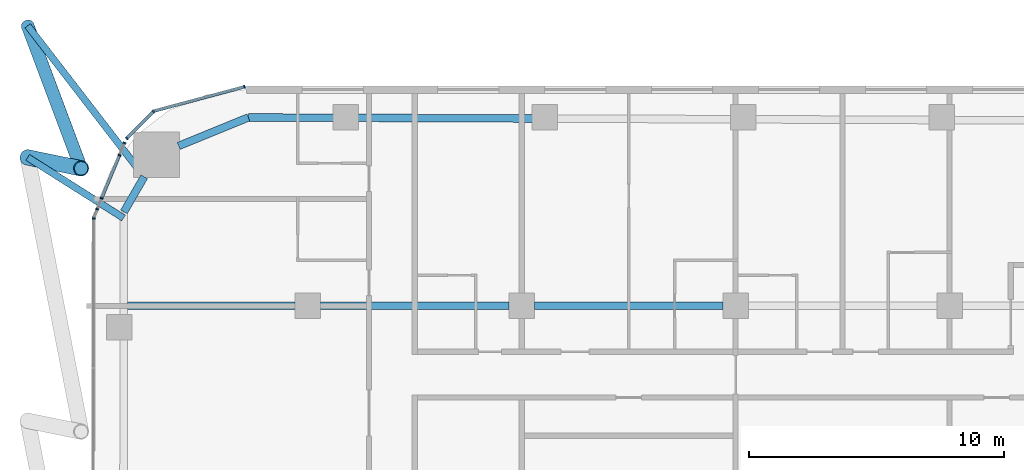
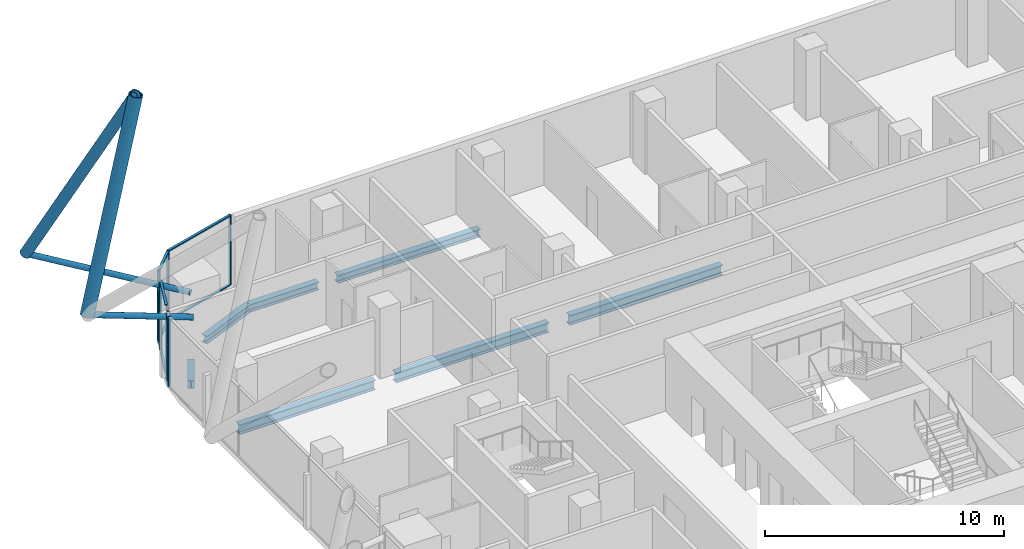
# One storey, part 11 of 36: 18 members, 7 beams, 7 elements without a shape of their own.
"""IFC4 building model written with IfcOpenShell, lengths in metres."""

from ifc_helpers import new_model, si_unit, direction, frame, origin, origin_2d, place, context, subcontext, project, spatial, rectangle, hollow_circle, i_section, extrude, material, layer, layer_set, material_profile, profile_set, type_object, element, aggregate, save


model = new_model("IFC4")

# Units and contexts
model_context = context("Model", 3, precision=1e-05, world=origin(), true_north=direction((0.0, 1.0)))
body_context = subcontext(model_context, "Body", "Model", "MODEL_VIEW")
ifc_project = project(units=[si_unit("LENGTHUNIT", "METRE"), si_unit("AREAUNIT", "SQUARE_METRE"), si_unit("VOLUMEUNIT", "CUBIC_METRE"), si_unit("PLANEANGLEUNIT", "RADIAN"), si_unit("MASSUNIT", "GRAM", prefix="KILO")], contexts=[model_context])

# Site, building, storey
site_placement = place(None, origin())
site = spatial("IfcSite", under=ifc_project, at=site_placement, CompositionType="ELEMENT")
building_placement = place(site_placement, origin())
building = spatial("IfcBuilding", under=site, at=building_placement, Name="Marenta Gate Hotel Tower", CompositionType="ELEMENT")
storey_placement = place(building_placement, frame((0.0, 0.0, 83.300048828125)))
storey = spatial("IfcBuildingStorey", under=building, at=storey_placement, Name="L19", CompositionType="ELEMENT", Elevation=83.300048828125)

# Members
ifc_material_1 = material(Name="Steel S355J2W", Category="steel")
ifc_material_profile_1 = material_profile(ifc_material_1, hollow_circle(Radius=0.25390625, WallThickness=0.0400390625, at=origin_2d()), Name="CHS 508x40")
ifc_profile_set_1 = profile_set([ifc_material_profile_1], Name="Steel S355J2W")
member_type_1 = type_object("IfcMemberType", Name="Diagrid corner post Z1 CHS 508x40", PredefinedType="POST", material=ifc_profile_set_1)
member_1_placement = place(storey_placement, frame((-32.0, 36.199951171875, 3.139892578125), z_axis=(0.170111239528, -0.453597012445, 0.874821076842), x_axis=(0.93632078934, 0.351145809387, 0.0)))
element("IfcMember", 1, at=member_1_placement, inside=storey, type_object=member_type_1, Name="L19-DR-6", PredefinedType="POST", context=body_context, shape_type="SweptSolid", body=[
    extrude(hollow_circle(Radius=0.25390625, WallThickness=0.0400390625, at=origin_2d()), origin(), (0.0, 0.0, 1.0), 12.345458984375),
])
ifc_material_2 = material(Name="Steel S355J2W", Category="steel")
ifc_material_profile_2 = material_profile(ifc_material_2, hollow_circle(Radius=0.304931640625, WallThickness=0.0400390625, at=origin_2d()), Name="CHS 610x40")
ifc_profile_set_2 = profile_set([ifc_material_profile_2], Name="Steel S355J2W")
member_type_2 = type_object("IfcMemberType", Name="Diagrid diagonal T1 CHS 610x40", PredefinedType="BRACE", material=ifc_profile_set_2)
member_2_placement = place(storey_placement, frame((-32.0, 31.030029296875, 3.139892578125), z_axis=(0.190731815435, -0.039046585327, 0.980865301025), x_axis=(0.200560207771, 0.979681378336, 0.0)))
element("IfcMember", 2, at=member_2_placement, inside=storey, type_object=member_type_2, Name="L19-DG-34", PredefinedType="BRACE", context=body_context, shape_type="SweptSolid", body=[
    extrude(hollow_circle(Radius=0.304931640625, WallThickness=0.0400390625, at=origin_2d()), origin(), (0.0, 0.0, 1.0), 11.0107421875),
])

# Beams
ifc_material_3 = material(Name="Steel S355", Category="steel")
ifc_material_profile_3 = material_profile(ifc_material_3, i_section(OverallWidth=0.300048828125, OverallDepth=0.39990234375, WebThickness=0.013427734375, FlangeThickness=0.02392578125, FilletRadius=0.027099609375, at=origin_2d()), Name="HEB 400")
ifc_profile_set_3 = profile_set([ifc_material_profile_3], Name="Steel S355")
beam_type_1 = type_object("IfcBeamType", Name="Edge beam HEB 400", PredefinedType="SPANDREL", material=ifc_profile_set_3)
beam_1_placement = place(storey_placement, frame((-28.221435546875, 28.891845703125, -0.4599609375), z_axis=(0.500098681536, 0.865968422476, 0.0), x_axis=(-0.865968422476, 0.500098681536, 0.0)))
element("IfcBeam", 3, at=beam_1_placement, inside=storey, type_object=beam_type_1, Name="L19-EB-11", PredefinedType="SPANDREL", context=body_context, shape_type="SweptSolid", body=[
    extrude(i_section(OverallWidth=0.300048828125, OverallDepth=0.39990234375, WebThickness=0.013427734375, FlangeThickness=0.02392578125, FilletRadius=0.027099609375, at=origin_2d()), origin(), (0.0, 0.0, 1.0), 1.591552734375),
])
beam_2_placement = place(storey_placement, frame((-26.072509765625, 31.47998046875, -0.4599609375), z_axis=(0.925545641603, 0.378636059177, 0.0), x_axis=(-0.378636059177, 0.925545641603, 0.0)))
element("IfcBeam", 4, at=beam_2_placement, inside=storey, type_object=beam_type_1, Name="L19-EB-12", PredefinedType="SPANDREL", context=body_context, shape_type="SweptSolid", body=[
    extrude(i_section(OverallWidth=0.300048828125, OverallDepth=0.39990234375, WebThickness=0.013427734375, FlangeThickness=0.02392578125, FilletRadius=0.027099609375, at=origin_2d()), origin(), (0.0, 0.0, 1.0), 2.958251953125),
])
beam_3_placement = place(storey_placement, frame((-23.33447265625, 32.60009765625, -0.4599609375), z_axis=(0.999992894549, -0.00376972818, 0.0), x_axis=(0.00376972818, 0.999992894549, 0.0)))
element("IfcBeam", 5, at=beam_3_placement, inside=storey, type_object=beam_type_1, Name="L19-EB-13", PredefinedType="SPANDREL", context=body_context, shape_type="SweptSolid", body=[
    extrude(i_section(OverallWidth=0.300048828125, OverallDepth=0.39990234375, WebThickness=0.013427734375, FlangeThickness=0.02392578125, FilletRadius=0.027099609375, at=origin_2d()), origin(), (0.0, 0.0, 1.0), 3.36767578125),
])
beam_4_placement = place(storey_placement, frame((-19.046875, 32.583984375, -0.4599609375), z_axis=(0.999993064268, -0.003724435008, 0.0), x_axis=(0.003724435008, 0.999993064268, 0.0)))
element("IfcBeam", 6, at=beam_4_placement, inside=storey, type_object=beam_type_1, Name="L19-EB-14", PredefinedType="SPANDREL", context=body_context, shape_type="SweptSolid", body=[
    extrude(i_section(OverallWidth=0.300048828125, OverallDepth=0.39990234375, WebThickness=0.013427734375, FlangeThickness=0.02392578125, FilletRadius=0.027099609375, at=origin_2d()), origin(), (0.0, 0.0, 1.0), 6.8828125),
])

# Members
ifc_material_4 = material(Name="Steel S355J2W", Category="steel")
ifc_material_profile_4 = material_profile(ifc_material_4, hollow_circle(Radius=0.136474609375, WallThickness=0.012451171875, at=origin_2d()), Name="CHS 273x12.5")
ifc_profile_set_4 = profile_set([ifc_material_profile_4], Name="Steel S355J2W")
member_type_3 = type_object("IfcMemberType", Name="Floor tie CHS 273x12.5", PredefinedType="STRUT", material=ifc_profile_set_4)
member_3_placement = place(storey_placement, frame((-32.0, 31.030029296875, 3.139892578125), z_axis=(0.845294683046, -0.534300382569, 0.0), x_axis=(0.534300382569, 0.845294683046, 0.0)))
element("IfcMember", 7, at=member_3_placement, inside=storey, type_object=member_type_3, Name="L19-DR-21", PredefinedType="STRUT", context=body_context, shape_type="SweptSolid", body=[
    extrude(hollow_circle(Radius=0.136474609375, WallThickness=0.012451171875, at=origin_2d()), origin(), (0.0, 0.0, 1.0), 4.451904296875),
])
member_4_placement = place(storey_placement, frame((-32.0, 36.199951171875, 3.139892578125), z_axis=(0.610816913131, -0.791771872848, 0.0), x_axis=(0.791771872848, 0.610816913131, 0.0)))
element("IfcMember", 8, at=member_4_placement, inside=storey, type_object=member_type_3, Name="L19-DR-22", PredefinedType="STRUT", context=body_context, shape_type="SweptSolid", body=[
    extrude(hollow_circle(Radius=0.136474609375, WallThickness=0.012451171875, at=origin_2d()), origin(), (0.0, 0.0, 1.0), 7.47314453125),
])

# Beams
ifc_material_5 = material(Name="Steel S355", Category="steel")
ifc_material_profile_5 = material_profile(ifc_material_5, i_section(OverallWidth=0.300048828125, OverallDepth=0.5, WebThickness=0.014404296875, FlangeThickness=0.028076171875, FilletRadius=0.027099609375, at=origin_2d()), Name="HEB 500")
ifc_profile_set_5 = profile_set([ifc_material_profile_5], Name="Steel S355")
beam_type_2 = type_object("IfcBeamType", Name="Girder HEB 500", PredefinedType="BEAM", material=ifc_profile_set_5)
beam_5_placement = place(storey_placement, frame((-28.076416015625, 25.199951171875, -0.510009765625), z_axis=(1.0, 0.0, 0.0), x_axis=(0.0, 1.0, 0.0)))
element("IfcBeam", 9, at=beam_5_placement, inside=storey, type_object=beam_type_2, Name="L19-GD-22", PredefinedType="BEAM", context=body_context, shape_type="SweptSolid", body=[
    extrude(i_section(OverallWidth=0.300048828125, OverallDepth=0.5, WebThickness=0.014404296875, FlangeThickness=0.028076171875, FilletRadius=0.027099609375, at=origin_2d()), origin(), (0.0, 0.0, 1.0), 6.576416015625),
])
beam_6_placement = place(storey_placement, frame((-20.5, 25.199951171875, -0.510009765625), z_axis=(1.0, 0.0, 0.0), x_axis=(0.0, 1.0, 0.0)))
element("IfcBeam", 10, at=beam_6_placement, inside=storey, type_object=beam_type_2, Name="L19-GD-23", PredefinedType="BEAM", context=body_context, shape_type="SweptSolid", body=[
    extrude(i_section(OverallWidth=0.300048828125, OverallDepth=0.5, WebThickness=0.014404296875, FlangeThickness=0.028076171875, FilletRadius=0.027099609375, at=origin_2d()), origin(), (0.0, 0.0, 1.0), 7.39990234375),
])
beam_7_placement = place(storey_placement, frame((-12.10009765625, 25.199951171875, -0.510009765625), z_axis=(1.0, 0.0, 0.0), x_axis=(0.0, 1.0, 0.0)))
element("IfcBeam", 11, at=beam_7_placement, inside=storey, type_object=beam_type_2, Name="L19-GD-24", PredefinedType="BEAM", context=body_context, shape_type="SweptSolid", body=[
    extrude(i_section(OverallWidth=0.300048828125, OverallDepth=0.5, WebThickness=0.014404296875, FlangeThickness=0.028076171875, FilletRadius=0.027099609375, at=origin_2d()), origin(), (0.0, 0.0, 1.0), 7.400146484375),
])

# Curtain wall, member
ifc_material_6 = material(Name="Tinted insulated glass in bronze anodised frame", Category="glass")
ifc_layer = layer(ifc_material_6, 0.1201171875)
ifc_layer_set = layer_set([ifc_layer], Name="Tinted insulated glass in bronze anodised frame")
curtain_wall_type = type_object("IfcCurtainWallType", Name="Tower unitised curtain wall CW1", PredefinedType="NOTDEFINED", material=ifc_layer_set)
curtain_wall_1_placement = place(storey_placement, origin())
curtain_wall_1 = element("IfcCurtainWall", 12, at=curtain_wall_1_placement, inside=storey, type_object=curtain_wall_type, Name="CW1 run G00", PredefinedType="NOTDEFINED")
ifc_material_7 = material(Name="Bronze anodised aluminium", Category="aluminium")
ifc_material_profile_6 = material_profile(ifc_material_7, rectangle(XDim=0.1201171875, YDim=0.06005859375, at=origin_2d()), Name="Mullion CW1 60x120 bronze anodised aluminium")
ifc_profile_set_6 = profile_set([ifc_material_profile_6], Name="Bronze anodised aluminium")
member_type_4 = type_object("IfcMemberType", Name="Mullion CW1 60x120 bronze anodised aluminium", PredefinedType="MULLION", material=ifc_profile_set_6)
member_5_placement = place(storey_placement, frame((-23.485595703125, 33.80322265625, 0.0), z_axis=(0.0, 0.0, 1.0), x_axis=(0.258801657317, -0.965930485164, 0.0)))
member_5 = element("IfcMember", 13, at=member_5_placement, type_object=member_type_4, Name="CW1 mullion 1", PredefinedType="MULLION", context=body_context, shape_type="SweptSolid", body=[
    extrude(rectangle(XDim=0.1201171875, YDim=0.06005859375, at=origin_2d()), origin(), (0.0, 0.0, 1.0), 3.599853515625),
])

# Curtain wall, members
curtain_wall_2_placement = place(storey_placement, origin())
curtain_wall_2 = element("IfcCurtainWall", 14, at=curtain_wall_2_placement, inside=storey, type_object=curtain_wall_type, Name="CW1 run G01", PredefinedType="NOTDEFINED")
member_6_placement = place(storey_placement, frame((-27.06103515625, 32.82958984375, 0.0), z_axis=(0.0, 0.0, 1.0), x_axis=(0.707106781187, -0.707106781187, 0.0)))
member_6 = element("IfcMember", 15, at=member_6_placement, type_object=member_type_4, Name="CW1 mullion 1", PredefinedType="MULLION", context=body_context, shape_type="SweptSolid", body=[
    extrude(rectangle(XDim=0.1201171875, YDim=0.06005859375, at=origin_2d()), origin(), (0.0, 0.0, 1.0), 3.599853515625),
])
member_7_placement = place(storey_placement, frame((-28.109619140625, 31.781005859375, 0.0), z_axis=(0.0, 0.0, 1.0), x_axis=(0.707106781187, -0.707106781187, 0.0)))
member_7 = element("IfcMember", 16, at=member_7_placement, type_object=member_type_4, Name="CW1 mullion 2", PredefinedType="MULLION", context=body_context, shape_type="SweptSolid", body=[
    extrude(rectangle(XDim=0.1201171875, YDim=0.06005859375, at=origin_2d()), origin(), (0.0, 0.0, 1.0), 3.599853515625),
])

# Curtain wall, member
curtain_wall_3_placement = place(storey_placement, origin())
curtain_wall_3 = element("IfcCurtainWall", 17, at=curtain_wall_3_placement, inside=storey, type_object=curtain_wall_type, Name="CW1 run G02", PredefinedType="NOTDEFINED")
member_8_placement = place(storey_placement, frame((-28.197509765625, 31.59912109375, 0.0), z_axis=(0.0, 0.0, 1.0), x_axis=(0.923851127548, -0.382752000815, 0.0)))
member_8 = element("IfcMember", 18, at=member_8_placement, type_object=member_type_4, Name="CW1 mullion 1", PredefinedType="MULLION", context=body_context, shape_type="SweptSolid", body=[
    extrude(rectangle(XDim=0.1201171875, YDim=0.06005859375, at=origin_2d()), origin(), (0.0, 0.0, 1.0), 3.00048828125),
])
aggregate(curtain_wall_3, [member_8])

curtain_wall_4_placement = place(storey_placement, origin())
curtain_wall_4 = element("IfcCurtainWall", 19, at=curtain_wall_4_placement, inside=storey, type_object=curtain_wall_type, Name="CW1 run G03", PredefinedType="NOTDEFINED")
member_9_placement = place(storey_placement, frame((-28.3974609375, 31.11669921875, 0.0), z_axis=(0.0, 0.0, 1.0), x_axis=(0.923887467514, -0.382664275012, 0.0)))
member_9 = element("IfcMember", 20, at=member_9_placement, type_object=member_type_4, Name="CW1 mullion 1", PredefinedType="MULLION", context=body_context, shape_type="SweptSolid", body=[
    extrude(rectangle(XDim=0.1201171875, YDim=0.06005859375, at=origin_2d()), origin(), (0.0, 0.0, 1.0), 3.599853515625),
])

curtain_wall_5_placement = place(storey_placement, origin())
curtain_wall_5 = element("IfcCurtainWall", 21, at=curtain_wall_5_placement, inside=storey, type_object=curtain_wall_type, Name="CW1 run G04", PredefinedType="NOTDEFINED")
member_10_placement = place(storey_placement, frame((-29.0966796875, 29.427978515625, 0.0), z_axis=(0.0, 0.0, 1.0), x_axis=(0.923815303293, -0.382838458625, 0.0)))
member_10 = element("IfcMember", 22, at=member_10_placement, type_object=member_type_4, Name="CW1 mullion 1", PredefinedType="MULLION", context=body_context, shape_type="SweptSolid", body=[
    extrude(rectangle(XDim=0.1201171875, YDim=0.06005859375, at=origin_2d()), origin(), (0.0, 0.0, 1.0), 3.00048828125),
])
aggregate(curtain_wall_5, [member_10])

curtain_wall_6_placement = place(storey_placement, origin())
curtain_wall_6 = element("IfcCurtainWall", 23, at=curtain_wall_6_placement, inside=storey, type_object=curtain_wall_type, Name="CW1 run G05", PredefinedType="NOTDEFINED")
member_11_placement = place(storey_placement, frame((-29.272705078125, 29.003173828125, 0.0), z_axis=(0.0, 0.0, 1.0), x_axis=(0.923973627119, -0.382456188848, 0.0)))
member_11 = element("IfcMember", 24, at=member_11_placement, type_object=member_type_4, Name="CW1 mullion 1", PredefinedType="MULLION", context=body_context, shape_type="SweptSolid", body=[
    extrude(rectangle(XDim=0.1201171875, YDim=0.06005859375, at=origin_2d()), origin(), (0.0, 0.0, 1.0), 3.599853515625),
])
aggregate(curtain_wall_6, [member_11])

curtain_wall_7_placement = place(storey_placement, origin())
curtain_wall_7 = element("IfcCurtainWall", 25, at=curtain_wall_7_placement, inside=storey, type_object=curtain_wall_type, Name="CW1 run G06", PredefinedType="NOTDEFINED")
member_12_placement = place(storey_placement, frame((-29.412353515625, 28.63623046875, 0.0), z_axis=(0.0, 0.0, 1.0), x_axis=(0.999998767315, -0.001570149369, 0.0)))
member_12 = element("IfcMember", 26, at=member_12_placement, type_object=member_type_4, Name="CW1 mullion 1", PredefinedType="MULLION", context=body_context, shape_type="SweptSolid", body=[
    extrude(rectangle(XDim=0.1201171875, YDim=0.06005859375, at=origin_2d()), origin(), (0.0, 0.0, 1.0), 3.599853515625),
])
aggregate(curtain_wall_7, [member_12])

# Member
ifc_material_8 = material(Name="Bronze anodised aluminium", Category="aluminium")
ifc_material_profile_7 = material_profile(ifc_material_8, rectangle(XDim=0.1201171875, YDim=0.06005859375, at=origin_2d()), Name="Transom CW1 60x120 bronze anodised aluminium")
ifc_profile_set_7 = profile_set([ifc_material_profile_7], Name="Bronze anodised aluminium")
member_type_5 = type_object("IfcMemberType", Name="Transom CW1 60x120 bronze anodised aluminium", PredefinedType="USERDEFINED", material=ifc_profile_set_7)
member_13_placement = place(storey_placement, frame((-23.514404296875, 33.79541015625, 0.030029296875), z_axis=(-0.965928942389, -0.258807415381, 0.0), x_axis=(0.258807415381, -0.965928942389, 0.0)))
member_13 = element("IfcMember", 27, at=member_13_placement, type_object=member_type_5, Name="CW1 transom 1.1", ObjectType="TRANSOM", PredefinedType="USERDEFINED", context=body_context, shape_type="SweptSolid", body=[
    extrude(rectangle(XDim=0.1201171875, YDim=0.06005859375, at=origin_2d()), origin(), (0.0, 0.0, 1.0), 3.649658203125),
])

member_14_placement = place(storey_placement, frame((-23.514404296875, 33.79541015625, 3.570068359375), z_axis=(-0.965928942389, -0.258807415381, 0.0), x_axis=(0.258807415381, -0.965928942389, 0.0)))
member_14 = element("IfcMember", 28, at=member_14_placement, type_object=member_type_5, Name="CW1 transom 1.2", ObjectType="TRANSOM", PredefinedType="USERDEFINED", context=body_context, shape_type="SweptSolid", body=[
    extrude(rectangle(XDim=0.1201171875, YDim=0.06005859375, at=origin_2d()), origin(), (0.0, 0.0, 1.0), 3.649658203125),
])

aggregate(curtain_wall_1, [member_5, member_13, member_14])

member_15_placement = place(storey_placement, frame((-27.082275390625, 32.80859375, 0.030029296875), z_axis=(-0.707020993286, -0.707192558681, 0.0), x_axis=(0.707192558681, -0.707020993286, 0.0)))
member_15 = element("IfcMember", 29, at=member_15_placement, type_object=member_type_5, Name="CW1 transom 1.1", ObjectType="TRANSOM", PredefinedType="USERDEFINED", context=body_context, shape_type="SweptSolid", body=[
    extrude(rectangle(XDim=0.1201171875, YDim=0.06005859375, at=origin_2d()), origin(), (0.0, 0.0, 1.0), 1.423095703125),
])

member_16_placement = place(storey_placement, frame((-27.082275390625, 32.80859375, 3.570068359375), z_axis=(-0.707020993286, -0.707192558681, 0.0), x_axis=(0.707192558681, -0.707020993286, 0.0)))
member_16 = element("IfcMember", 30, at=member_16_placement, type_object=member_type_5, Name="CW1 transom 1.2", ObjectType="TRANSOM", PredefinedType="USERDEFINED", context=body_context, shape_type="SweptSolid", body=[
    extrude(rectangle(XDim=0.1201171875, YDim=0.06005859375, at=origin_2d()), origin(), (0.0, 0.0, 1.0), 1.423095703125),
])

aggregate(curtain_wall_2, [member_6, member_7, member_15, member_16])

member_17_placement = place(storey_placement, frame((-28.408935546875, 31.0888671875, 0.030029296875), z_axis=(-0.38260390766, -0.923912468713, 0.0), x_axis=(0.923912468713, -0.38260390766, 0.0)))
member_17 = element("IfcMember", 31, at=member_17_placement, type_object=member_type_5, Name="CW1 transom 1.1", ObjectType="TRANSOM", PredefinedType="USERDEFINED", context=body_context, shape_type="SweptSolid", body=[
    extrude(rectangle(XDim=0.1201171875, YDim=0.06005859375, at=origin_2d()), origin(), (0.0, 0.0, 1.0), 1.767578125),
])

member_18_placement = place(storey_placement, frame((-28.408935546875, 31.0888671875, 3.570068359375), z_axis=(-0.38260390766, -0.923912468713, 0.0), x_axis=(0.923912468713, -0.38260390766, 0.0)))
member_18 = element("IfcMember", 32, at=member_18_placement, type_object=member_type_5, Name="CW1 transom 1.2", ObjectType="TRANSOM", PredefinedType="USERDEFINED", context=body_context, shape_type="SweptSolid", body=[
    extrude(rectangle(XDim=0.1201171875, YDim=0.06005859375, at=origin_2d()), origin(), (0.0, 0.0, 1.0), 1.767578125),
])

aggregate(curtain_wall_4, [member_9, member_17, member_18])

save(model, "model.ifc")
